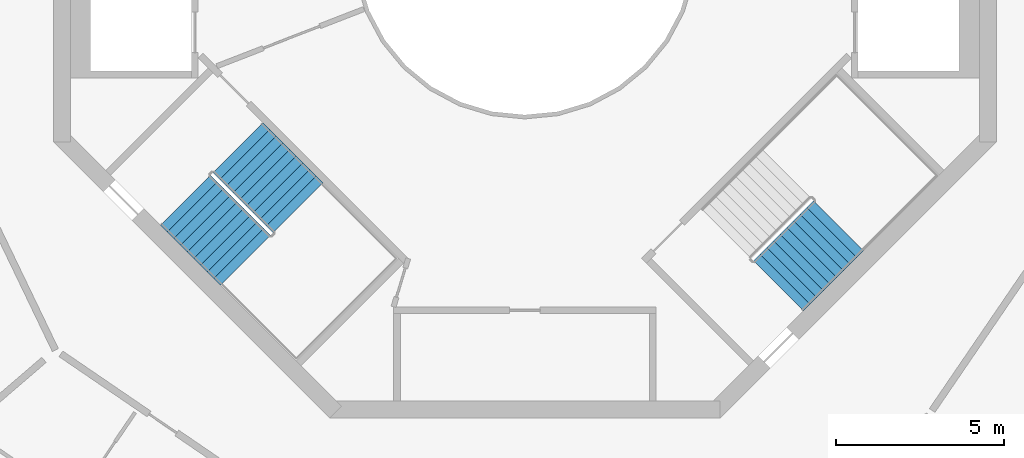
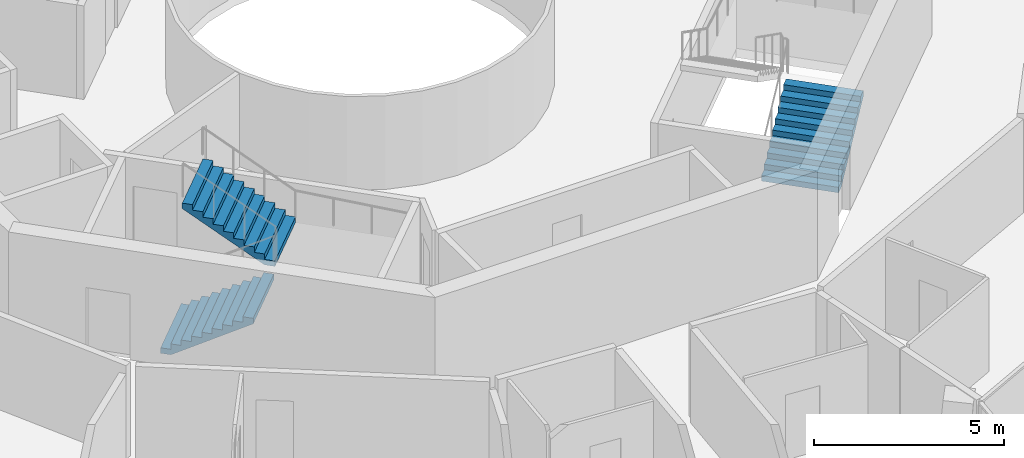
# One storey, part 21 of 23: 3 stair flights, 2 elements without a shape of their own.
"""IFC4 building model written with IfcOpenShell, lengths in metres."""

import ifcopenshell
import ifcopenshell.guid

model = None  # the IFC model being written
_history = None  # IfcOwnerHistory: only IFC2X3 demands one
_inside = {}  # id of a spatial element -> (the spatial element, [elements in it])
_under = {}  # id of a project, library or spatial element -> (it, [spatial elements below it])
_declared = {}  # id of a project -> (the project, [libraries it declares])
_typed = {}  # id of a type object -> (the type object, [elements of that type])
_made_of = {}  # id of a material, layer set ... -> (it, [elements and type objects made of it])


def new_model(schema):
    """Start an empty IFC model of exactly this schema.

    Asked for "IFC4X3", IfcOpenShell would pick the latest addendum, in which some entities
    have other attributes; the version numbers below select the first issue.
    IFC2X3 requires an IfcOwnerHistory on every rooted entity: one is made here for all.
    """
    global model, _history
    if schema == "IFC4X3":
        model = ifcopenshell.file(schema_version=(4, 3, 0, 0))
    else:
        model = ifcopenshell.file(schema=schema)
    _inside.clear()
    _under.clear()
    _declared.clear()
    _typed.clear()
    _made_of.clear()
    _history = None
    if model.schema == "IFC2X3":
        org = make("IfcOrganization", Name="unknown")
        user = make(
            "IfcPersonAndOrganization",
            ThePerson=make("IfcPerson", FamilyName="unknown"),
            TheOrganization=org,
        )
        app = make(
            "IfcApplication",
            ApplicationDeveloper=org,
            Version="unknown",
            ApplicationFullName="unknown",
            ApplicationIdentifier="unknown",
        )
        _history = make(
            "IfcOwnerHistory",
            OwningUser=user,
            OwningApplication=app,
            ChangeAction="ADDED",
            CreationDate=0,
        )
    return model


def make(cls, **values):
    """One entity of the class cls with the attributes given. An attribute that is None is left unset."""
    return model.create_entity(
        cls, **{name: value for name, value in values.items() if value is not None}
    )


def rooted(cls, **values):
    """An entity with a GlobalId (a new one), such as an element, a storey or a relation."""
    return make(cls, GlobalId=ifcopenshell.guid.new(), OwnerHistory=_history, **values)


def si_unit(unit_type, name, prefix=None):
    """IfcSIUnit, for example si_unit("LENGTHUNIT", "METRE", prefix="MILLI")."""
    return make("IfcSIUnit", UnitType=unit_type, Prefix=prefix, Name=name)


def assignment(units):
    """IfcUnitAssignment: the units of a project."""
    return None if units is None else make("IfcUnitAssignment", Units=units)


def point(xyz):
    """IfcCartesianPoint."""
    return None if xyz is None else make("IfcCartesianPoint", Coordinates=xyz)


def direction(xyz):
    """IfcDirection."""
    return None if xyz is None else make("IfcDirection", DirectionRatios=xyz)


def frame(location, z_axis=None, x_axis=None):
    """IfcAxis2Placement3D, a coordinate frame: its origin and axes. An axis left out is left unset."""
    return make(
        "IfcAxis2Placement3D",
        Location=point(location),
        Axis=direction(z_axis),
        RefDirection=direction(x_axis),
    )


def origin():
    """The frame at (0, 0, 0) with its axes left unset."""
    return frame((0.0, 0.0, 0.0))


def place(relative_to, where):
    """IfcLocalPlacement: puts the frame where relative to a parent placement (None: the world)."""
    return make(
        "IfcLocalPlacement", PlacementRelTo=relative_to, RelativePlacement=where
    )


def context(
    kind, dimensions, precision=None, world=None, true_north=None, identifier=None
):
    """IfcGeometricRepresentationContext, for example the 3D "Model" context."""
    return make(
        "IfcGeometricRepresentationContext",
        ContextIdentifier=identifier,
        ContextType=kind,
        CoordinateSpaceDimension=dimensions,
        Precision=precision,
        WorldCoordinateSystem=world,
        TrueNorth=true_north,
    )


def subcontext(parent, identifier, kind, view, scale=None):
    """IfcGeometricRepresentationSubContext, for example "Body" below "Model"."""
    return make(
        "IfcGeometricRepresentationSubContext",
        ContextIdentifier=identifier,
        ContextType=kind,
        ParentContext=parent,
        TargetScale=scale,
        TargetView=view,
    )


def project(units=None, contexts=None):
    """IfcProject with its units and contexts."""
    return rooted(
        "IfcProject",
        Name="project",
        RepresentationContexts=contexts,
        UnitsInContext=assignment(units),
    )


def spatial(cls, under=None, at=None, **own):
    """A site, building, storey or space (cls), placed at a placement, below another one or the project."""
    s = rooted(cls, ObjectPlacement=at, **own)
    if under is not None:
        _under.setdefault(under.id(), (under, []))[1].append(s)
    return s


def point_list(points):
    """IfcCartesianPointList2D or 3D."""
    cls = (
        "IfcCartesianPointList2D" if len(points[0]) == 2 else "IfcCartesianPointList3D"
    )
    return make(cls, CoordList=points)


def triangles(points, corners, closed=None, point_numbers=None):
    """IfcTriangulatedFaceSet: each triangle names its three corners, points numbered from 1."""
    return make(
        "IfcTriangulatedFaceSet",
        Coordinates=point_list(points),
        Closed=closed,
        CoordIndex=corners,
        PnIndex=point_numbers,
    )


def shape(context_of_items, identifier, shape_type, items):
    """IfcShapeRepresentation: the items that make up one representation, for example the "Body"."""
    return make(
        "IfcShapeRepresentation",
        ContextOfItems=context_of_items,
        RepresentationIdentifier=identifier,
        RepresentationType=shape_type,
        Items=items,
    )


def material(Name=None, Category=None):
    """IfcMaterial."""
    return make("IfcMaterial", Name=Name, Category=Category)


def made_of(thing, what):
    """Note that an element or type object is made of a material, layer set ...; save() writes the relation."""
    if what is not None:
        _made_of.setdefault(what.id(), (what, []))[1].append(thing)
    return thing


def type_object(cls, material=None, **own):
    """A type object (cls), such as IfcWallType, which elements share."""
    return made_of(rooted(cls, **own), material)


def element(
    cls,
    number,
    at=None,
    inside=None,
    cuts=None,
    type_object=None,
    material=None,
    context=None,
    identifier="Body",
    shape_type=None,
    held_by="IfcProductDefinitionShape",
    body=None,
    shapes=None,
    **own,
):
    """One element of the class cls, such as IfcWall. Its Tag is "e" and its number.

    at: its placement. inside: the storey or other place that contains it. cuts: it is an
    opening in that element (IfcRelVoidsElement). A single representation is given by context,
    identifier, shape_type and body (its items); several are given by shapes. held_by: the class
    of the entity that holds the representations. save() writes the other relations.
    """
    e = rooted(cls, Tag="e%d" % number, ObjectPlacement=at, **own)
    if body is not None:
        shapes = [shape(context, identifier, shape_type, body)]
    if shapes is not None:
        e.Representation = make(held_by, Representations=shapes)
    if inside is not None:
        _inside.setdefault(inside.id(), (inside, []))[1].append(e)
    if cuts is not None:
        rooted(
            "IfcRelVoidsElement", RelatingBuildingElement=cuts, RelatedOpeningElement=e
        )
    if type_object is not None:
        _typed.setdefault(type_object.id(), (type_object, []))[1].append(e)
    return made_of(e, material)


def aggregate(whole, parts):
    """IfcRelAggregates: a whole, such as a stair, and the parts it consists of."""
    return rooted("IfcRelAggregates", RelatingObject=whole, RelatedObjects=parts)


def save(model, path):
    """Write the relations noted so far, then the file.

    IfcRelAggregates (storeys below a building ...), IfcRelContainedInSpatialStructure (elements
    in a storey), IfcRelDefinesByType, IfcRelAssociatesMaterial and IfcRelDeclares: one each for
    every whole, place, type object, material and project.
    """
    for whole, parts in _under.values():
        aggregate(whole, parts)
    for where, things in _inside.values():
        rooted(
            "IfcRelContainedInSpatialStructure",
            RelatedElements=things,
            RelatingStructure=where,
        )
    for kind, things in _typed.values():
        rooted("IfcRelDefinesByType", RelatedObjects=things, RelatingType=kind)
    for what, things in _made_of.values():
        rooted("IfcRelAssociatesMaterial", RelatedObjects=things, RelatingMaterial=what)
    for by, libraries in _declared.values():
        rooted("IfcRelDeclares", RelatingContext=by, RelatedDefinitions=libraries)
    model.write(path)


model = new_model("IFC4")

# Units and contexts
model_context = context("Model", 3, precision=1e-05, world=origin(), true_north=direction((0.0, 1.0)))
body_context = subcontext(model_context, "Body", "Model", "MODEL_VIEW")
ifc_project = project(units=[si_unit("LENGTHUNIT", "METRE"), si_unit("AREAUNIT", "SQUARE_METRE"), si_unit("VOLUMEUNIT", "CUBIC_METRE"), si_unit("PLANEANGLEUNIT", "RADIAN"), si_unit("MASSUNIT", "GRAM", prefix="KILO")], contexts=[model_context])

# Site, building, storey
site_placement = place(None, origin())
site = spatial("IfcSite", under=ifc_project, at=site_placement, CompositionType="ELEMENT")
building_placement = place(site_placement, origin())
building = spatial("IfcBuilding", under=site, at=building_placement, Name="Verdalira Terraces Hotel", CompositionType="ELEMENT")
storey_placement = place(building_placement, frame((0.0, 0.0, 259.5)))
storey = spatial("IfcBuildingStorey", under=building, at=storey_placement, Name="L64", CompositionType="ELEMENT", Elevation=259.5)

# Stair, stair flights
ifc_material_1 = material(Name="Concrete C40", Category="concrete")
stair_type = type_object("IfcStairType", Name="Core stair 20 risers 2100 mm wide", PredefinedType="HALF_TURN_STAIR", material=ifc_material_1)
stair_1_placement = place(storey_placement, origin())
stair_1 = element("IfcStair", 1, at=stair_1_placement, inside=storey, type_object=stair_type, Name="L64 Exit stair ST2", PredefinedType="HALF_TURN_STAIR")
ifc_material_2 = material(Name="Concrete C40", Category="concrete")
stair_flight_type = type_object("IfcStairFlightType", Name="Core stair flight 20 risers 2100 mm wide", PredefinedType="STRAIGHT", material=ifc_material_2)
stair_flight_1_placement = place(storey_placement, frame((-10.076172, -7.530762, 0.0), z_axis=(0.0, 0.0, 1.0), x_axis=(0.707106781, -0.707106781, 0.0)))
stair_flight_1 = element("IfcStairFlight", 2, at=stair_flight_1_placement, type_object=stair_flight_type, Name="ST2 flight 1", NumberOfRisers=10, NumberOfTreads=9, PredefinedType="STRAIGHT", RiserHeight=0.175, TreadLength=0.28, context=body_context, shape_type="Tessellation", body=[
    triangles([(0.0, 1.050049, 0.0), (0.282715, 1.050049, 0.0), (2.52002, 1.050049, 1.398193), (0.0, -1.050049, 0.0), (0.282715, -1.050049, 0.0), (2.52002, -1.050049, 1.398193), (2.52002, 1.050049, 1.574951), (2.23999, 1.050049, 1.574951), (2.52002, -1.050049, 1.574951), (2.23999, -1.050049, 1.574951), (2.23999, 1.050049, 1.399902), (2.23999, -1.050049, 1.399902), (1.959961, 1.050049, 1.399902), (1.959961, -1.050049, 1.399902), (1.959961, 1.050049, 1.225098), (1.959961, -1.050049, 1.225098), (1.679932, 1.050049, 1.225098), (1.679932, 1.050049, 1.050049), (1.679932, -1.050049, 1.225098), (1.679932, -1.050049, 1.050049), (1.399902, 1.050049, 1.050049), (1.399902, 1.050049, 0.875), (1.399902, -1.050049, 1.050049), (1.399902, -1.050049, 0.875), (1.120117, 1.050049, 0.875), (1.120117, 1.050049, 0.699951), (1.120117, -1.050049, 0.875), (1.120117, -1.050049, 0.699951), (0.840088, 1.050049, 0.699951), (0.840088, 1.050049, 0.524902), (0.840088, -1.050049, 0.699951), (0.840088, -1.050049, 0.524902), (0.560059, 1.050049, 0.524902), (0.560059, 1.050049, 0.350098), (0.560059, -1.050049, 0.524902), (0.560059, -1.050049, 0.350098), (0.280029, 1.050049, 0.350098), (0.280029, 1.050049, 0.175049), (0.280029, -1.050049, 0.350098), (0.280029, -1.050049, 0.175049), (0.0, 1.050049, 0.175049), (0.0, -1.050049, 0.175049), (0.0, -0.984421, 0.0), (0.0, -0.984421, 0.175049), (0.0, -0.918793, 0.0), (0.0, -0.918793, 0.175049), (0.0, -0.853165, 0.0), (0.0, -0.853165, 0.175049), (0.0, -0.787537, 0.0), (0.0, -0.787537, 0.175049), (0.0, -0.721909, 0.0), (0.0, -0.721909, 0.175049), (0.0, -0.656281, 0.0), (0.0, -0.656281, 0.175049), (0.0, -0.590652, 0.0), (0.0, -0.590652, 0.175049), (0.0, -0.525024, 0.0), (0.0, -0.525024, 0.175049), (0.0, -0.459396, 0.0), (0.0, -0.459396, 0.175049), (0.0, -0.393768, 0.0), (0.0, -0.393768, 0.175049), (0.0, -0.32814, 0.0), (0.0, -0.32814, 0.175049), (0.0, -0.262512, 0.0), (0.0, -0.262512, 0.175049), (0.0, -0.196884, 0.0), (0.0, -0.196884, 0.175049), (0.0, -0.131256, 0.0), (0.0, -0.131256, 0.175049), (0.0, -0.065628, 0.0), (0.0, -0.065628, 0.175049), (0.0, 0.0, 0.0), (0.0, 0.0, 0.175049), (0.0, 0.065628, 0.0), (0.0, 0.065628, 0.175049), (0.0, 0.131256, 0.0), (0.0, 0.131256, 0.175049), (0.0, 0.196884, 0.0), (0.0, 0.196884, 0.175049), (0.0, 0.262512, 0.0), (0.0, 0.262512, 0.175049), (0.0, 0.32814, 0.0), (0.0, 0.32814, 0.175049), (0.0, 0.393768, 0.0), (0.0, 0.393768, 0.175049), (0.0, 0.459396, 0.0), (0.0, 0.459396, 0.175049), (0.0, 0.525024, 0.0), (0.0, 0.525024, 0.175049), (0.0, 0.590652, 0.0), (0.0, 0.590652, 0.175049), (0.0, 0.656281, 0.0), (0.0, 0.656281, 0.175049), (0.0, 0.721909, 0.0), (0.0, 0.721909, 0.175049), (0.0, 0.787537, 0.0), (0.0, 0.787537, 0.175049), (0.0, 0.853165, 0.0), (0.0, 0.853165, 0.175049), (0.0, 0.918793, 0.0), (0.0, 0.918793, 0.175049), (0.0, 0.984421, 0.0), (0.0, 0.984421, 0.175049), (2.52002, -0.984421, 1.574951), (2.52002, -0.918793, 1.574951), (2.52002, -0.853165, 1.574951), (2.52002, -0.787537, 1.574951), (2.52002, -0.721909, 1.574951), (2.52002, -0.656281, 1.574951), (2.52002, -0.590652, 1.574951), (2.52002, -0.525024, 1.574951), (2.52002, -0.459396, 1.574951), (2.52002, -0.393768, 1.574951), (2.52002, -0.32814, 1.574951), (2.52002, -0.262512, 1.574951), (2.52002, -0.196884, 1.574951), (2.52002, -0.131256, 1.574951), (2.52002, -0.065628, 1.574951), (2.52002, 0.0, 1.574951), (2.52002, 0.065628, 1.574951), (2.52002, 0.131256, 1.574951), (2.52002, 0.196884, 1.574951), (2.52002, 0.262512, 1.574951), (2.52002, 0.32814, 1.574951), (2.52002, 0.393768, 1.574951), (2.52002, 0.459396, 1.574951), (2.52002, 0.525024, 1.574951), (2.52002, 0.590652, 1.574951), (2.52002, 0.656281, 1.574951), (2.52002, 0.721909, 1.574951), (2.52002, 0.787537, 1.574951), (2.52002, 0.853165, 1.574951), (2.52002, 0.918793, 1.574951), (2.52002, 0.984421, 1.574951), (2.52002, -0.984421, 1.398193), (2.52002, -0.918793, 1.398193), (2.52002, -0.853165, 1.398193), (2.52002, -0.787537, 1.398193), (2.52002, -0.721909, 1.398193), (2.52002, -0.656281, 1.398193), (2.52002, -0.590652, 1.398193), (2.52002, -0.525024, 1.398193), (2.52002, -0.459396, 1.398193), (2.52002, -0.393768, 1.398193), (2.52002, -0.32814, 1.398193), (2.52002, -0.262512, 1.398193), (2.52002, -0.196884, 1.398193), (2.52002, -0.131256, 1.398193), (2.52002, -0.065628, 1.398193), (2.52002, 0.0, 1.398193), (2.52002, 0.065628, 1.398193), (2.52002, 0.131256, 1.398193), (2.52002, 0.196884, 1.398193), (2.52002, 0.262512, 1.398193), (2.52002, 0.32814, 1.398193), (2.52002, 0.393768, 1.398193), (2.52002, 0.459396, 1.398193), (2.52002, 0.525024, 1.398193), (2.52002, 0.590652, 1.398193), (2.52002, 0.656281, 1.398193), (2.52002, 0.721909, 1.398193), (2.52002, 0.787537, 1.398193), (2.52002, 0.853165, 1.398193), (2.52002, 0.918793, 1.398193), (2.52002, 0.984421, 1.398193)], [[1, 3, 2], [4, 5, 6], [3, 8, 7], [6, 9, 10], [3, 11, 8], [6, 10, 12], [3, 13, 11], [6, 12, 14], [3, 15, 13], [6, 14, 16], [15, 18, 17], [16, 19, 20], [3, 18, 15], [6, 16, 20], [18, 22, 21], [20, 23, 24], [3, 22, 18], [6, 20, 24], [22, 26, 25], [24, 27, 28], [3, 26, 22], [6, 24, 28], [26, 30, 29], [28, 31, 32], [3, 30, 26], [6, 28, 32], [1, 30, 3], [4, 6, 32], [30, 34, 33], [32, 35, 36], [34, 38, 37], [36, 39, 40], [30, 38, 34], [32, 36, 40], [1, 38, 30], [4, 32, 40], [38, 1, 41], [40, 42, 4], [4, 44, 43], [4, 42, 44], [43, 46, 45], [43, 44, 46], [45, 48, 47], [45, 46, 48], [47, 50, 49], [47, 48, 50], [49, 52, 51], [49, 50, 52], [51, 54, 53], [51, 52, 54], [53, 56, 55], [53, 54, 56], [55, 58, 57], [55, 56, 58], [57, 60, 59], [57, 58, 60], [59, 62, 61], [59, 60, 62], [61, 64, 63], [61, 62, 64], [63, 66, 65], [63, 64, 66], [65, 68, 67], [65, 66, 68], [67, 70, 69], [67, 68, 70], [69, 72, 71], [69, 70, 72], [71, 74, 73], [71, 72, 74], [73, 76, 75], [73, 74, 76], [75, 78, 77], [75, 76, 78], [77, 80, 79], [77, 78, 80], [79, 82, 81], [79, 80, 82], [81, 84, 83], [81, 82, 84], [83, 86, 85], [83, 84, 86], [85, 88, 87], [85, 86, 88], [87, 90, 89], [87, 88, 90], [89, 92, 91], [89, 90, 92], [91, 94, 93], [91, 92, 94], [93, 96, 95], [93, 94, 96], [95, 98, 97], [95, 96, 98], [97, 100, 99], [97, 98, 100], [99, 102, 101], [99, 100, 102], [101, 104, 103], [101, 102, 104], [103, 41, 1], [103, 104, 41], [42, 40, 44], [44, 40, 46], [46, 40, 48], [48, 40, 50], [50, 40, 52], [52, 40, 54], [54, 40, 56], [56, 40, 58], [58, 40, 60], [60, 40, 62], [62, 40, 64], [64, 40, 66], [66, 40, 68], [68, 40, 70], [70, 40, 72], [72, 40, 74], [74, 40, 76], [76, 40, 78], [78, 40, 80], [80, 40, 82], [82, 40, 84], [84, 40, 86], [86, 40, 88], [88, 40, 90], [90, 40, 92], [92, 40, 94], [94, 40, 96], [96, 40, 98], [98, 40, 100], [100, 40, 102], [102, 40, 104], [104, 40, 41], [41, 40, 38], [40, 37, 38], [40, 39, 37], [39, 34, 37], [39, 36, 34], [36, 33, 34], [36, 35, 33], [35, 30, 33], [35, 32, 30], [32, 29, 30], [32, 31, 29], [31, 26, 29], [31, 28, 26], [28, 25, 26], [28, 27, 25], [27, 22, 25], [27, 24, 22], [24, 21, 22], [24, 23, 21], [23, 18, 21], [23, 20, 18], [20, 17, 18], [20, 19, 17], [19, 15, 17], [19, 16, 15], [16, 13, 15], [16, 14, 13], [14, 11, 13], [14, 12, 11], [12, 8, 11], [12, 10, 8], [9, 105, 10], [105, 106, 10], [106, 107, 10], [107, 108, 10], [108, 109, 10], [109, 110, 10], [110, 111, 10], [111, 112, 10], [112, 113, 10], [113, 114, 10], [114, 115, 10], [115, 116, 10], [116, 117, 10], [117, 118, 10], [118, 119, 10], [119, 120, 10], [120, 121, 10], [121, 122, 10], [122, 123, 10], [123, 124, 10], [124, 125, 10], [125, 126, 10], [126, 127, 10], [127, 128, 10], [128, 129, 10], [129, 130, 10], [130, 131, 10], [131, 132, 10], [132, 133, 10], [133, 134, 10], [134, 135, 10], [135, 7, 10], [7, 8, 10], [9, 136, 105], [9, 6, 136], [105, 137, 106], [105, 136, 137], [106, 138, 107], [106, 137, 138], [107, 139, 108], [107, 138, 139], [108, 140, 109], [108, 139, 140], [109, 141, 110], [109, 140, 141], [110, 142, 111], [110, 141, 142], [111, 143, 112], [111, 142, 143], [112, 144, 113], [112, 143, 144], [113, 145, 114], [113, 144, 145], [114, 146, 115], [114, 145, 146], [115, 147, 116], [115, 146, 147], [116, 148, 117], [116, 147, 148], [117, 149, 118], [117, 148, 149], [118, 150, 119], [118, 149, 150], [119, 151, 120], [119, 150, 151], [120, 152, 121], [120, 151, 152], [121, 153, 122], [121, 152, 153], [122, 154, 123], [122, 153, 154], [123, 155, 124], [123, 154, 155], [124, 156, 125], [124, 155, 156], [125, 157, 126], [125, 156, 157], [126, 158, 127], [126, 157, 158], [127, 159, 128], [127, 158, 159], [128, 160, 129], [128, 159, 160], [129, 161, 130], [129, 160, 161], [130, 162, 131], [130, 161, 162], [131, 163, 132], [131, 162, 163], [132, 164, 133], [132, 163, 164], [133, 165, 134], [133, 164, 165], [134, 166, 135], [134, 165, 166], [135, 3, 7], [135, 166, 3], [6, 5, 136], [136, 5, 137], [137, 5, 138], [138, 5, 139], [139, 5, 140], [140, 5, 141], [141, 5, 142], [142, 5, 143], [143, 5, 144], [144, 5, 145], [145, 5, 146], [146, 5, 147], [147, 5, 148], [148, 5, 149], [149, 5, 150], [150, 5, 151], [151, 5, 152], [152, 5, 153], [153, 5, 154], [154, 5, 155], [155, 5, 156], [156, 5, 157], [157, 5, 158], [158, 5, 159], [159, 5, 160], [160, 5, 161], [161, 5, 162], [162, 5, 163], [163, 5, 164], [164, 5, 165], [165, 5, 166], [166, 5, 3], [3, 5, 2], [4, 43, 5], [43, 45, 5], [45, 47, 5], [47, 49, 5], [49, 51, 5], [51, 53, 5], [53, 55, 5], [55, 57, 5], [57, 59, 5], [59, 61, 5], [61, 63, 5], [63, 65, 5], [65, 67, 5], [67, 69, 5], [69, 71, 5], [71, 73, 5], [73, 75, 5], [75, 77, 5], [77, 79, 5], [79, 81, 5], [81, 83, 5], [83, 85, 5], [85, 87, 5], [87, 89, 5], [89, 91, 5], [91, 93, 5], [93, 95, 5], [95, 97, 5], [97, 99, 5], [99, 101, 5], [101, 103, 5], [103, 1, 5], [1, 2, 5]], closed=True),
])
stair_flight_2_placement = place(storey_placement, frame((-6.73877, -7.75708, 1.75), z_axis=(0.0, 0.0, 1.0), x_axis=(-0.707106781, 0.707106781, 0.0)))
stair_flight_2 = element("IfcStairFlight", 3, at=stair_flight_2_placement, type_object=stair_flight_type, Name="ST2 flight 2", NumberOfRisers=10, NumberOfTreads=9, PredefinedType="STRAIGHT", RiserHeight=0.175, TreadLength=0.28, context=body_context, shape_type="Tessellation", body=[
    triangles([(0.0, 1.050049, 0.0), (0.282715, 1.050049, 0.0), (2.52002, 1.050049, 1.398193), (0.0, -1.050049, 0.0), (0.282715, -1.050049, 0.0), (2.52002, -1.050049, 1.398193), (2.52002, 1.050049, 1.574951), (2.23999, 1.050049, 1.574951), (2.52002, -1.050049, 1.574951), (2.23999, -1.050049, 1.574951), (2.23999, 1.050049, 1.399902), (2.23999, -1.050049, 1.399902), (1.959961, 1.050049, 1.399902), (1.959961, -1.050049, 1.399902), (1.959961, 1.050049, 1.225098), (1.959961, -1.050049, 1.225098), (1.679932, 1.050049, 1.225098), (1.679932, 1.050049, 1.050049), (1.679932, -1.050049, 1.225098), (1.679932, -1.050049, 1.050049), (1.399902, 1.050049, 1.050049), (1.399902, 1.050049, 0.875), (1.399902, -1.050049, 1.050049), (1.399902, -1.050049, 0.875), (1.120117, 1.050049, 0.875), (1.120117, 1.050049, 0.699951), (1.120117, -1.050049, 0.875), (1.120117, -1.050049, 0.699951), (0.840088, 1.050049, 0.699951), (0.840088, 1.050049, 0.524902), (0.840088, -1.050049, 0.699951), (0.840088, -1.050049, 0.524902), (0.560059, 1.050049, 0.524902), (0.560059, 1.050049, 0.350098), (0.560059, -1.050049, 0.524902), (0.560059, -1.050049, 0.350098), (0.280029, 1.050049, 0.350098), (0.280029, 1.050049, 0.175049), (0.280029, -1.050049, 0.350098), (0.280029, -1.050049, 0.175049), (0.0, 1.050049, 0.175049), (0.0, -1.050049, 0.175049), (0.0, -0.984421, 0.0), (0.0, -0.984421, 0.175049), (0.0, -0.918793, 0.0), (0.0, -0.918793, 0.175049), (0.0, -0.853165, 0.0), (0.0, -0.853165, 0.175049), (0.0, -0.787537, 0.0), (0.0, -0.787537, 0.175049), (0.0, -0.721909, 0.0), (0.0, -0.721909, 0.175049), (0.0, -0.656281, 0.0), (0.0, -0.656281, 0.175049), (0.0, -0.590652, 0.0), (0.0, -0.590652, 0.175049), (0.0, -0.525024, 0.0), (0.0, -0.525024, 0.175049), (0.0, -0.459396, 0.0), (0.0, -0.459396, 0.175049), (0.0, -0.393768, 0.0), (0.0, -0.393768, 0.175049), (0.0, -0.32814, 0.0), (0.0, -0.32814, 0.175049), (0.0, -0.262512, 0.0), (0.0, -0.262512, 0.175049), (0.0, -0.196884, 0.0), (0.0, -0.196884, 0.175049), (0.0, -0.131256, 0.0), (0.0, -0.131256, 0.175049), (0.0, -0.065628, 0.0), (0.0, -0.065628, 0.175049), (0.0, 0.0, 0.0), (0.0, 0.0, 0.175049), (0.0, 0.065628, 0.0), (0.0, 0.065628, 0.175049), (0.0, 0.131256, 0.0), (0.0, 0.131256, 0.175049), (0.0, 0.196884, 0.0), (0.0, 0.196884, 0.175049), (0.0, 0.262512, 0.0), (0.0, 0.262512, 0.175049), (0.0, 0.32814, 0.0), (0.0, 0.32814, 0.175049), (0.0, 0.393768, 0.0), (0.0, 0.393768, 0.175049), (0.0, 0.459396, 0.0), (0.0, 0.459396, 0.175049), (0.0, 0.525024, 0.0), (0.0, 0.525024, 0.175049), (0.0, 0.590652, 0.0), (0.0, 0.590652, 0.175049), (0.0, 0.656281, 0.0), (0.0, 0.656281, 0.175049), (0.0, 0.721909, 0.0), (0.0, 0.721909, 0.175049), (0.0, 0.787537, 0.0), (0.0, 0.787537, 0.175049), (0.0, 0.853165, 0.0), (0.0, 0.853165, 0.175049), (0.0, 0.918793, 0.0), (0.0, 0.918793, 0.175049), (0.0, 0.984421, 0.0), (0.0, 0.984421, 0.175049), (2.52002, -0.984421, 1.574951), (2.52002, -0.918793, 1.574951), (2.52002, -0.853165, 1.574951), (2.52002, -0.787537, 1.574951), (2.52002, -0.721909, 1.574951), (2.52002, -0.656281, 1.574951), (2.52002, -0.590652, 1.574951), (2.52002, -0.525024, 1.574951), (2.52002, -0.459396, 1.574951), (2.52002, -0.393768, 1.574951), (2.52002, -0.32814, 1.574951), (2.52002, -0.262512, 1.574951), (2.52002, -0.196884, 1.574951), (2.52002, -0.131256, 1.574951), (2.52002, -0.065628, 1.574951), (2.52002, 0.0, 1.574951), (2.52002, 0.065628, 1.574951), (2.52002, 0.131256, 1.574951), (2.52002, 0.196884, 1.574951), (2.52002, 0.262512, 1.574951), (2.52002, 0.32814, 1.574951), (2.52002, 0.393768, 1.574951), (2.52002, 0.459396, 1.574951), (2.52002, 0.525024, 1.574951), (2.52002, 0.590652, 1.574951), (2.52002, 0.656281, 1.574951), (2.52002, 0.721909, 1.574951), (2.52002, 0.787537, 1.574951), (2.52002, 0.853165, 1.574951), (2.52002, 0.918793, 1.574951), (2.52002, 0.984421, 1.574951), (2.52002, -0.984421, 1.398193), (2.52002, -0.918793, 1.398193), (2.52002, -0.853165, 1.398193), (2.52002, -0.787537, 1.398193), (2.52002, -0.721909, 1.398193), (2.52002, -0.656281, 1.398193), (2.52002, -0.590652, 1.398193), (2.52002, -0.525024, 1.398193), (2.52002, -0.459396, 1.398193), (2.52002, -0.393768, 1.398193), (2.52002, -0.32814, 1.398193), (2.52002, -0.262512, 1.398193), (2.52002, -0.196884, 1.398193), (2.52002, -0.131256, 1.398193), (2.52002, -0.065628, 1.398193), (2.52002, 0.0, 1.398193), (2.52002, 0.065628, 1.398193), (2.52002, 0.131256, 1.398193), (2.52002, 0.196884, 1.398193), (2.52002, 0.262512, 1.398193), (2.52002, 0.32814, 1.398193), (2.52002, 0.393768, 1.398193), (2.52002, 0.459396, 1.398193), (2.52002, 0.525024, 1.398193), (2.52002, 0.590652, 1.398193), (2.52002, 0.656281, 1.398193), (2.52002, 0.721909, 1.398193), (2.52002, 0.787537, 1.398193), (2.52002, 0.853165, 1.398193), (2.52002, 0.918793, 1.398193), (2.52002, 0.984421, 1.398193)], [[1, 3, 2], [4, 5, 6], [3, 8, 7], [6, 9, 10], [3, 11, 8], [6, 10, 12], [3, 13, 11], [6, 12, 14], [3, 15, 13], [6, 14, 16], [15, 18, 17], [16, 19, 20], [3, 18, 15], [6, 16, 20], [18, 22, 21], [20, 23, 24], [3, 22, 18], [6, 20, 24], [22, 26, 25], [24, 27, 28], [3, 26, 22], [6, 24, 28], [26, 30, 29], [28, 31, 32], [3, 30, 26], [6, 28, 32], [1, 30, 3], [4, 6, 32], [30, 34, 33], [32, 35, 36], [34, 38, 37], [36, 39, 40], [30, 38, 34], [32, 36, 40], [1, 38, 30], [4, 32, 40], [38, 1, 41], [40, 42, 4], [4, 44, 43], [4, 42, 44], [43, 46, 45], [43, 44, 46], [45, 48, 47], [45, 46, 48], [47, 50, 49], [47, 48, 50], [49, 52, 51], [49, 50, 52], [51, 54, 53], [51, 52, 54], [53, 56, 55], [53, 54, 56], [55, 58, 57], [55, 56, 58], [57, 60, 59], [57, 58, 60], [59, 62, 61], [59, 60, 62], [61, 64, 63], [61, 62, 64], [63, 66, 65], [63, 64, 66], [65, 68, 67], [65, 66, 68], [67, 70, 69], [67, 68, 70], [69, 72, 71], [69, 70, 72], [71, 74, 73], [71, 72, 74], [73, 76, 75], [73, 74, 76], [75, 78, 77], [75, 76, 78], [77, 80, 79], [77, 78, 80], [79, 82, 81], [79, 80, 82], [81, 84, 83], [81, 82, 84], [83, 86, 85], [83, 84, 86], [85, 88, 87], [85, 86, 88], [87, 90, 89], [87, 88, 90], [89, 92, 91], [89, 90, 92], [91, 94, 93], [91, 92, 94], [93, 96, 95], [93, 94, 96], [95, 98, 97], [95, 96, 98], [97, 100, 99], [97, 98, 100], [99, 102, 101], [99, 100, 102], [101, 104, 103], [101, 102, 104], [103, 41, 1], [103, 104, 41], [42, 40, 44], [44, 40, 46], [46, 40, 48], [48, 40, 50], [50, 40, 52], [52, 40, 54], [54, 40, 56], [56, 40, 58], [58, 40, 60], [60, 40, 62], [62, 40, 64], [64, 40, 66], [66, 40, 68], [68, 40, 70], [70, 40, 72], [72, 40, 74], [74, 40, 76], [76, 40, 78], [78, 40, 80], [80, 40, 82], [82, 40, 84], [84, 40, 86], [86, 40, 88], [88, 40, 90], [90, 40, 92], [92, 40, 94], [94, 40, 96], [96, 40, 98], [98, 40, 100], [100, 40, 102], [102, 40, 104], [104, 40, 41], [41, 40, 38], [40, 37, 38], [40, 39, 37], [39, 34, 37], [39, 36, 34], [36, 33, 34], [36, 35, 33], [35, 30, 33], [35, 32, 30], [32, 29, 30], [32, 31, 29], [31, 26, 29], [31, 28, 26], [28, 25, 26], [28, 27, 25], [27, 22, 25], [27, 24, 22], [24, 21, 22], [24, 23, 21], [23, 18, 21], [23, 20, 18], [20, 17, 18], [20, 19, 17], [19, 15, 17], [19, 16, 15], [16, 13, 15], [16, 14, 13], [14, 11, 13], [14, 12, 11], [12, 8, 11], [12, 10, 8], [9, 105, 10], [105, 106, 10], [106, 107, 10], [107, 108, 10], [108, 109, 10], [109, 110, 10], [110, 111, 10], [111, 112, 10], [112, 113, 10], [113, 114, 10], [114, 115, 10], [115, 116, 10], [116, 117, 10], [117, 118, 10], [118, 119, 10], [119, 120, 10], [120, 121, 10], [121, 122, 10], [122, 123, 10], [123, 124, 10], [124, 125, 10], [125, 126, 10], [126, 127, 10], [127, 128, 10], [128, 129, 10], [129, 130, 10], [130, 131, 10], [131, 132, 10], [132, 133, 10], [133, 134, 10], [134, 135, 10], [135, 7, 10], [7, 8, 10], [9, 136, 105], [9, 6, 136], [105, 137, 106], [105, 136, 137], [106, 138, 107], [106, 137, 138], [107, 139, 108], [107, 138, 139], [108, 140, 109], [108, 139, 140], [109, 141, 110], [109, 140, 141], [110, 142, 111], [110, 141, 142], [111, 143, 112], [111, 142, 143], [112, 144, 113], [112, 143, 144], [113, 145, 114], [113, 144, 145], [114, 146, 115], [114, 145, 146], [115, 147, 116], [115, 146, 147], [116, 148, 117], [116, 147, 148], [117, 149, 118], [117, 148, 149], [118, 150, 119], [118, 149, 150], [119, 151, 120], [119, 150, 151], [120, 152, 121], [120, 151, 152], [121, 153, 122], [121, 152, 153], [122, 154, 123], [122, 153, 154], [123, 155, 124], [123, 154, 155], [124, 156, 125], [124, 155, 156], [125, 157, 126], [125, 156, 157], [126, 158, 127], [126, 157, 158], [127, 159, 128], [127, 158, 159], [128, 160, 129], [128, 159, 160], [129, 161, 130], [129, 160, 161], [130, 162, 131], [130, 161, 162], [131, 163, 132], [131, 162, 163], [132, 164, 133], [132, 163, 164], [133, 165, 134], [133, 164, 165], [134, 166, 135], [134, 165, 166], [135, 3, 7], [135, 166, 3], [6, 5, 136], [136, 5, 137], [137, 5, 138], [138, 5, 139], [139, 5, 140], [140, 5, 141], [141, 5, 142], [142, 5, 143], [143, 5, 144], [144, 5, 145], [145, 5, 146], [146, 5, 147], [147, 5, 148], [148, 5, 149], [149, 5, 150], [150, 5, 151], [151, 5, 152], [152, 5, 153], [153, 5, 154], [154, 5, 155], [155, 5, 156], [156, 5, 157], [157, 5, 158], [158, 5, 159], [159, 5, 160], [160, 5, 161], [161, 5, 162], [162, 5, 163], [163, 5, 164], [164, 5, 165], [165, 5, 166], [166, 5, 3], [3, 5, 2], [4, 43, 5], [43, 45, 5], [45, 47, 5], [47, 49, 5], [49, 51, 5], [51, 53, 5], [53, 55, 5], [55, 57, 5], [57, 59, 5], [59, 61, 5], [61, 63, 5], [63, 65, 5], [65, 67, 5], [67, 69, 5], [69, 71, 5], [71, 73, 5], [73, 75, 5], [75, 77, 5], [77, 79, 5], [79, 81, 5], [81, 83, 5], [83, 85, 5], [85, 87, 5], [87, 89, 5], [89, 91, 5], [91, 93, 5], [93, 95, 5], [95, 97, 5], [97, 99, 5], [99, 101, 5], [101, 103, 5], [103, 1, 5], [1, 2, 5]], closed=True),
])
aggregate(stair_1, [stair_flight_1, stair_flight_2])

# Stair, stair flight
stair_2_placement = place(storey_placement, origin())
stair_2 = element("IfcStair", 4, at=stair_2_placement, inside=storey, type_object=stair_type, Name="L64 Exit stair ST3", PredefinedType="HALF_TURN_STAIR")
stair_flight_3_placement = place(storey_placement, frame((7.530762, -10.076172, 0.0), z_axis=(0.0, 0.0, 1.0), x_axis=(0.707106781, 0.707106781, 0.0)))
stair_flight_3 = element("IfcStairFlight", 5, at=stair_flight_3_placement, type_object=stair_flight_type, Name="ST3 flight 1", NumberOfRisers=10, NumberOfTreads=9, PredefinedType="STRAIGHT", RiserHeight=0.175, TreadLength=0.28, context=body_context, shape_type="Tessellation", body=[
    triangles([(0.0, 1.050049, 0.0), (0.282715, 1.050049, 0.0), (2.52002, 1.050049, 1.398193), (0.0, -1.050049, 0.0), (0.282715, -1.050049, 0.0), (2.52002, -1.050049, 1.398193), (2.52002, 1.050049, 1.574951), (2.23999, 1.050049, 1.574951), (2.52002, -1.050049, 1.574951), (2.23999, -1.050049, 1.574951), (2.23999, 1.050049, 1.399902), (2.23999, -1.050049, 1.399902), (1.959961, 1.050049, 1.399902), (1.959961, -1.050049, 1.399902), (1.959961, 1.050049, 1.225098), (1.959961, -1.050049, 1.225098), (1.679932, 1.050049, 1.225098), (1.679932, 1.050049, 1.050049), (1.679932, -1.050049, 1.225098), (1.679932, -1.050049, 1.050049), (1.399902, 1.050049, 1.050049), (1.399902, 1.050049, 0.875), (1.399902, -1.050049, 1.050049), (1.399902, -1.050049, 0.875), (1.120117, 1.050049, 0.875), (1.120117, 1.050049, 0.699951), (1.120117, -1.050049, 0.875), (1.120117, -1.050049, 0.699951), (0.840088, 1.050049, 0.699951), (0.840088, 1.050049, 0.524902), (0.840088, -1.050049, 0.699951), (0.840088, -1.050049, 0.524902), (0.560059, 1.050049, 0.524902), (0.560059, 1.050049, 0.350098), (0.560059, -1.050049, 0.524902), (0.560059, -1.050049, 0.350098), (0.280029, 1.050049, 0.350098), (0.280029, 1.050049, 0.175049), (0.280029, -1.050049, 0.350098), (0.280029, -1.050049, 0.175049), (0.0, 1.050049, 0.175049), (0.0, -1.050049, 0.175049), (0.0, -0.984421, 0.0), (0.0, -0.984421, 0.175049), (0.0, -0.918793, 0.0), (0.0, -0.918793, 0.175049), (0.0, -0.853165, 0.0), (0.0, -0.853165, 0.175049), (0.0, -0.787537, 0.0), (0.0, -0.787537, 0.175049), (0.0, -0.721909, 0.0), (0.0, -0.721909, 0.175049), (0.0, -0.656281, 0.0), (0.0, -0.656281, 0.175049), (0.0, -0.590652, 0.0), (0.0, -0.590652, 0.175049), (0.0, -0.525024, 0.0), (0.0, -0.525024, 0.175049), (0.0, -0.459396, 0.0), (0.0, -0.459396, 0.175049), (0.0, -0.393768, 0.0), (0.0, -0.393768, 0.175049), (0.0, -0.32814, 0.0), (0.0, -0.32814, 0.175049), (0.0, -0.262512, 0.0), (0.0, -0.262512, 0.175049), (0.0, -0.196884, 0.0), (0.0, -0.196884, 0.175049), (0.0, -0.131256, 0.0), (0.0, -0.131256, 0.175049), (0.0, -0.065628, 0.0), (0.0, -0.065628, 0.175049), (0.0, 0.0, 0.0), (0.0, 0.0, 0.175049), (0.0, 0.065628, 0.0), (0.0, 0.065628, 0.175049), (0.0, 0.131256, 0.0), (0.0, 0.131256, 0.175049), (0.0, 0.196884, 0.0), (0.0, 0.196884, 0.175049), (0.0, 0.262512, 0.0), (0.0, 0.262512, 0.175049), (0.0, 0.32814, 0.0), (0.0, 0.32814, 0.175049), (0.0, 0.393768, 0.0), (0.0, 0.393768, 0.175049), (0.0, 0.459396, 0.0), (0.0, 0.459396, 0.175049), (0.0, 0.525024, 0.0), (0.0, 0.525024, 0.175049), (0.0, 0.590652, 0.0), (0.0, 0.590652, 0.175049), (0.0, 0.656281, 0.0), (0.0, 0.656281, 0.175049), (0.0, 0.721909, 0.0), (0.0, 0.721909, 0.175049), (0.0, 0.787537, 0.0), (0.0, 0.787537, 0.175049), (0.0, 0.853165, 0.0), (0.0, 0.853165, 0.175049), (0.0, 0.918793, 0.0), (0.0, 0.918793, 0.175049), (0.0, 0.984421, 0.0), (0.0, 0.984421, 0.175049), (2.52002, -0.984421, 1.574951), (2.52002, -0.918793, 1.574951), (2.52002, -0.853165, 1.574951), (2.52002, -0.787537, 1.574951), (2.52002, -0.721909, 1.574951), (2.52002, -0.656281, 1.574951), (2.52002, -0.590652, 1.574951), (2.52002, -0.525024, 1.574951), (2.52002, -0.459396, 1.574951), (2.52002, -0.393768, 1.574951), (2.52002, -0.32814, 1.574951), (2.52002, -0.262512, 1.574951), (2.52002, -0.196884, 1.574951), (2.52002, -0.131256, 1.574951), (2.52002, -0.065628, 1.574951), (2.52002, 0.0, 1.574951), (2.52002, 0.065628, 1.574951), (2.52002, 0.131256, 1.574951), (2.52002, 0.196884, 1.574951), (2.52002, 0.262512, 1.574951), (2.52002, 0.32814, 1.574951), (2.52002, 0.393768, 1.574951), (2.52002, 0.459396, 1.574951), (2.52002, 0.525024, 1.574951), (2.52002, 0.590652, 1.574951), (2.52002, 0.656281, 1.574951), (2.52002, 0.721909, 1.574951), (2.52002, 0.787537, 1.574951), (2.52002, 0.853165, 1.574951), (2.52002, 0.918793, 1.574951), (2.52002, 0.984421, 1.574951), (2.52002, -0.984421, 1.398193), (2.52002, -0.918793, 1.398193), (2.52002, -0.853165, 1.398193), (2.52002, -0.787537, 1.398193), (2.52002, -0.721909, 1.398193), (2.52002, -0.656281, 1.398193), (2.52002, -0.590652, 1.398193), (2.52002, -0.525024, 1.398193), (2.52002, -0.459396, 1.398193), (2.52002, -0.393768, 1.398193), (2.52002, -0.32814, 1.398193), (2.52002, -0.262512, 1.398193), (2.52002, -0.196884, 1.398193), (2.52002, -0.131256, 1.398193), (2.52002, -0.065628, 1.398193), (2.52002, 0.0, 1.398193), (2.52002, 0.065628, 1.398193), (2.52002, 0.131256, 1.398193), (2.52002, 0.196884, 1.398193), (2.52002, 0.262512, 1.398193), (2.52002, 0.32814, 1.398193), (2.52002, 0.393768, 1.398193), (2.52002, 0.459396, 1.398193), (2.52002, 0.525024, 1.398193), (2.52002, 0.590652, 1.398193), (2.52002, 0.656281, 1.398193), (2.52002, 0.721909, 1.398193), (2.52002, 0.787537, 1.398193), (2.52002, 0.853165, 1.398193), (2.52002, 0.918793, 1.398193), (2.52002, 0.984421, 1.398193)], [[1, 3, 2], [4, 5, 6], [3, 8, 7], [6, 9, 10], [3, 11, 8], [6, 10, 12], [3, 13, 11], [6, 12, 14], [3, 15, 13], [6, 14, 16], [15, 18, 17], [16, 19, 20], [3, 18, 15], [6, 16, 20], [18, 22, 21], [20, 23, 24], [3, 22, 18], [6, 20, 24], [22, 26, 25], [24, 27, 28], [3, 26, 22], [6, 24, 28], [26, 30, 29], [28, 31, 32], [3, 30, 26], [6, 28, 32], [1, 30, 3], [4, 6, 32], [30, 34, 33], [32, 35, 36], [34, 38, 37], [36, 39, 40], [30, 38, 34], [32, 36, 40], [1, 38, 30], [4, 32, 40], [38, 1, 41], [40, 42, 4], [4, 44, 43], [4, 42, 44], [43, 46, 45], [43, 44, 46], [45, 48, 47], [45, 46, 48], [47, 50, 49], [47, 48, 50], [49, 52, 51], [49, 50, 52], [51, 54, 53], [51, 52, 54], [53, 56, 55], [53, 54, 56], [55, 58, 57], [55, 56, 58], [57, 60, 59], [57, 58, 60], [59, 62, 61], [59, 60, 62], [61, 64, 63], [61, 62, 64], [63, 66, 65], [63, 64, 66], [65, 68, 67], [65, 66, 68], [67, 70, 69], [67, 68, 70], [69, 72, 71], [69, 70, 72], [71, 74, 73], [71, 72, 74], [73, 76, 75], [73, 74, 76], [75, 78, 77], [75, 76, 78], [77, 80, 79], [77, 78, 80], [79, 82, 81], [79, 80, 82], [81, 84, 83], [81, 82, 84], [83, 86, 85], [83, 84, 86], [85, 88, 87], [85, 86, 88], [87, 90, 89], [87, 88, 90], [89, 92, 91], [89, 90, 92], [91, 94, 93], [91, 92, 94], [93, 96, 95], [93, 94, 96], [95, 98, 97], [95, 96, 98], [97, 100, 99], [97, 98, 100], [99, 102, 101], [99, 100, 102], [101, 104, 103], [101, 102, 104], [103, 41, 1], [103, 104, 41], [42, 40, 44], [44, 40, 46], [46, 40, 48], [48, 40, 50], [50, 40, 52], [52, 40, 54], [54, 40, 56], [56, 40, 58], [58, 40, 60], [60, 40, 62], [62, 40, 64], [64, 40, 66], [66, 40, 68], [68, 40, 70], [70, 40, 72], [72, 40, 74], [74, 40, 76], [76, 40, 78], [78, 40, 80], [80, 40, 82], [82, 40, 84], [84, 40, 86], [86, 40, 88], [88, 40, 90], [90, 40, 92], [92, 40, 94], [94, 40, 96], [96, 40, 98], [98, 40, 100], [100, 40, 102], [102, 40, 104], [104, 40, 41], [41, 40, 38], [40, 37, 38], [40, 39, 37], [39, 34, 37], [39, 36, 34], [36, 33, 34], [36, 35, 33], [35, 30, 33], [35, 32, 30], [32, 29, 30], [32, 31, 29], [31, 26, 29], [31, 28, 26], [28, 25, 26], [28, 27, 25], [27, 22, 25], [27, 24, 22], [24, 21, 22], [24, 23, 21], [23, 18, 21], [23, 20, 18], [20, 17, 18], [20, 19, 17], [19, 15, 17], [19, 16, 15], [16, 13, 15], [16, 14, 13], [14, 11, 13], [14, 12, 11], [12, 8, 11], [12, 10, 8], [9, 105, 10], [105, 106, 10], [106, 107, 10], [107, 108, 10], [108, 109, 10], [109, 110, 10], [110, 111, 10], [111, 112, 10], [112, 113, 10], [113, 114, 10], [114, 115, 10], [115, 116, 10], [116, 117, 10], [117, 118, 10], [118, 119, 10], [119, 120, 10], [120, 121, 10], [121, 122, 10], [122, 123, 10], [123, 124, 10], [124, 125, 10], [125, 126, 10], [126, 127, 10], [127, 128, 10], [128, 129, 10], [129, 130, 10], [130, 131, 10], [131, 132, 10], [132, 133, 10], [133, 134, 10], [134, 135, 10], [135, 7, 10], [7, 8, 10], [9, 136, 105], [9, 6, 136], [105, 137, 106], [105, 136, 137], [106, 138, 107], [106, 137, 138], [107, 139, 108], [107, 138, 139], [108, 140, 109], [108, 139, 140], [109, 141, 110], [109, 140, 141], [110, 142, 111], [110, 141, 142], [111, 143, 112], [111, 142, 143], [112, 144, 113], [112, 143, 144], [113, 145, 114], [113, 144, 145], [114, 146, 115], [114, 145, 146], [115, 147, 116], [115, 146, 147], [116, 148, 117], [116, 147, 148], [117, 149, 118], [117, 148, 149], [118, 150, 119], [118, 149, 150], [119, 151, 120], [119, 150, 151], [120, 152, 121], [120, 151, 152], [121, 153, 122], [121, 152, 153], [122, 154, 123], [122, 153, 154], [123, 155, 124], [123, 154, 155], [124, 156, 125], [124, 155, 156], [125, 157, 126], [125, 156, 157], [126, 158, 127], [126, 157, 158], [127, 159, 128], [127, 158, 159], [128, 160, 129], [128, 159, 160], [129, 161, 130], [129, 160, 161], [130, 162, 131], [130, 161, 162], [131, 163, 132], [131, 162, 163], [132, 164, 133], [132, 163, 164], [133, 165, 134], [133, 164, 165], [134, 166, 135], [134, 165, 166], [135, 3, 7], [135, 166, 3], [6, 5, 136], [136, 5, 137], [137, 5, 138], [138, 5, 139], [139, 5, 140], [140, 5, 141], [141, 5, 142], [142, 5, 143], [143, 5, 144], [144, 5, 145], [145, 5, 146], [146, 5, 147], [147, 5, 148], [148, 5, 149], [149, 5, 150], [150, 5, 151], [151, 5, 152], [152, 5, 153], [153, 5, 154], [154, 5, 155], [155, 5, 156], [156, 5, 157], [157, 5, 158], [158, 5, 159], [159, 5, 160], [160, 5, 161], [161, 5, 162], [162, 5, 163], [163, 5, 164], [164, 5, 165], [165, 5, 166], [166, 5, 3], [3, 5, 2], [4, 43, 5], [43, 45, 5], [45, 47, 5], [47, 49, 5], [49, 51, 5], [51, 53, 5], [53, 55, 5], [55, 57, 5], [57, 59, 5], [59, 61, 5], [61, 63, 5], [63, 65, 5], [65, 67, 5], [67, 69, 5], [69, 71, 5], [71, 73, 5], [73, 75, 5], [75, 77, 5], [77, 79, 5], [79, 81, 5], [81, 83, 5], [83, 85, 5], [85, 87, 5], [87, 89, 5], [89, 91, 5], [91, 93, 5], [93, 95, 5], [95, 97, 5], [97, 99, 5], [99, 101, 5], [101, 103, 5], [103, 1, 5], [1, 2, 5]], closed=True),
])
aggregate(stair_2, [stair_flight_3])

save(model, "model.ifc")
